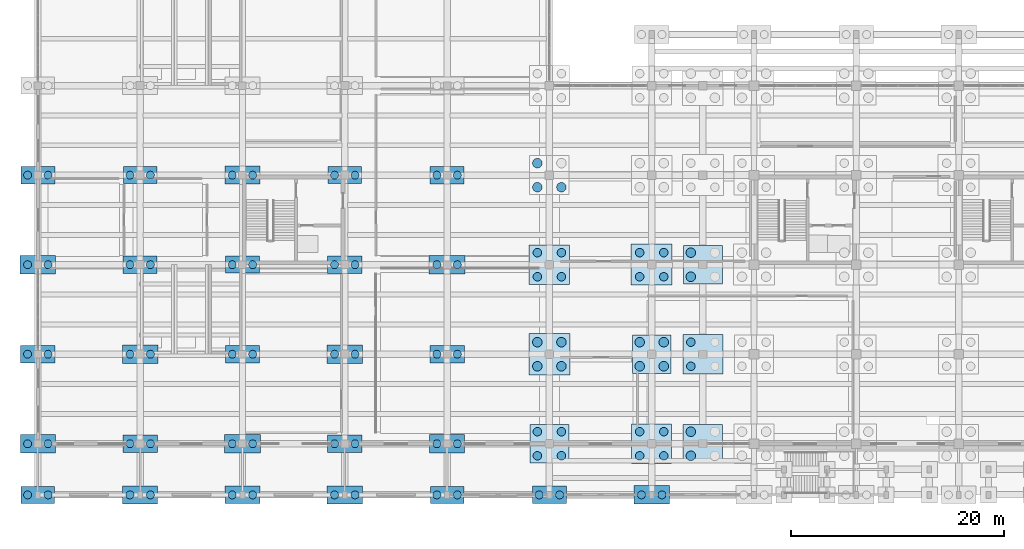
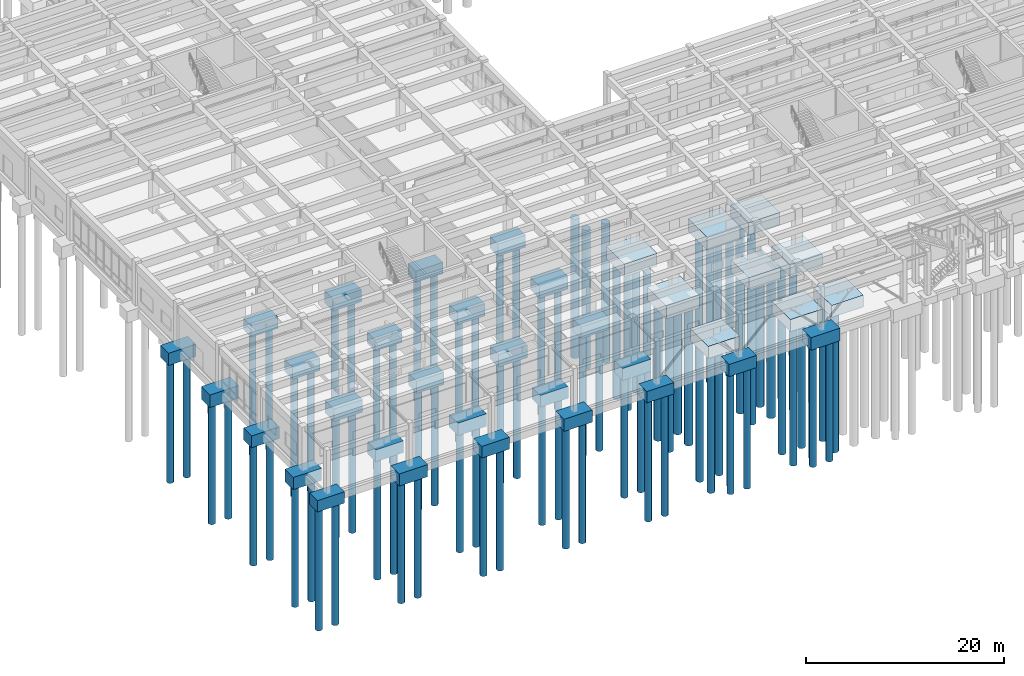
# One storey, part 1 of 102: 87 piles, 36 footings.
"""IFC4 building model written with IfcOpenShell, lengths in metres."""

from ifc_helpers import new_model, si_unit, direction, frame, origin, origin_2d, place, context, subcontext, project, spatial, rectangle, circle, extrude, material, material_profile, profile_set, type_object, element, save


model = new_model("IFC4")

# Units and contexts
model_context = context("Model", 3, precision=1e-05, world=origin(), true_north=direction((0.0, 1.0)))
body_context = subcontext(model_context, "Body", "Model", "MODEL_VIEW")
ifc_project = project(units=[si_unit("LENGTHUNIT", "METRE"), si_unit("AREAUNIT", "SQUARE_METRE"), si_unit("VOLUMEUNIT", "CUBIC_METRE"), si_unit("PLANEANGLEUNIT", "RADIAN"), si_unit("MASSUNIT", "GRAM", prefix="KILO")], contexts=[model_context])

# Site, building, storey
site_placement = place(None, origin())
site = spatial("IfcSite", under=ifc_project, at=site_placement, CompositionType="ELEMENT")
building_placement = place(site_placement, origin())
building = spatial("IfcBuilding", under=site, at=building_placement, Name="Kolvemor Railside Polytechnic", CompositionType="ELEMENT")
storey_placement = place(building_placement, origin())
storey = spatial("IfcBuildingStorey", under=building, at=storey_placement, Name="L00", CompositionType="ELEMENT", Elevation=0.0)

# Footings
ifc_material_1 = material(Name="Concrete C40/50", Category="concrete")
footing_type_1 = type_object("IfcFootingType", Name="FTG-PC-2P-A", PredefinedType="PILE_CAP", material=ifc_material_1)
for number, where, z_axis, x_axis, name in (
    (1, (0.0, 30.0, -1.5), (0.0, 0.0, 1.0), (1.0, 0.0, 0.0), "Pile Cap PC-005"),
    (2, (9.60009765625, 21.60009765625, -1.5), (0.0, 0.0, 1.0), (1.0, 0.0, 0.0), "Pile Cap PC-015"),
    (3, (19.199951171875, 13.199951171875, -1.5), (0.0, 0.0, 1.0), (1.0, 0.0, 0.0), "Pile Cap PC-025"),
    (4, (28.800048828125, 21.60009765625, -1.5), (0.0, 0.0, 1.0), (1.0, 0.0, 0.0), "Pile Cap PC-040"),
    (5, (38.39990234375, 30.0, -1.5), (0.0, 0.0, 1.0), (1.0, 0.0, 0.0), "Pile Cap PC-055"),
    (6, (48.0, 0.0, -1.5), (0.0, 0.0, 1.0), (1.0, 0.0, 0.0), "Pile Cap PC-065"),
):
    element("IfcFooting", number, at=place(storey_placement, frame(where, z_axis=z_axis, x_axis=x_axis)), inside=storey, type_object=footing_type_1, Name=name, PredefinedType="PILE_CAP", context=body_context, shape_type="SweptSolid", body=[
        extrude(rectangle(XDim=3.199951171875, YDim=1.64990234375, at=origin_2d()), origin(), (0.0, 0.0, 1.0), 1.5),
    ])
ifc_material_2 = material(Name="Concrete C40/50", Category="concrete")
footing_type_2 = type_object("IfcFootingType", Name="FTG-PC-2P-B", PredefinedType="PILE_CAP", material=ifc_material_2)
for number, where, z_axis, x_axis, name in (
    (7, (0.0, 0.0, -1.39990234375), (0.0, 0.0, 1.0), (1.0, 0.0, 0.0), "Pile Cap PC-001"),
    (8, (9.60009765625, 30.0, -1.39990234375), (0.0, 0.0, 1.0), (1.0, 0.0, 0.0), "Pile Cap PC-016"),
    (9, (19.199951171875, 21.60009765625, -1.39990234375), (0.0, 0.0, 1.0), (1.0, 0.0, 0.0), "Pile Cap PC-026"),
    (10, (28.800048828125, 30.0, -1.39990234375), (0.0, 0.0, 1.0), (1.0, 0.0, 0.0), "Pile Cap PC-041"),
    (11, (38.39990234375, 0.0, -1.39990234375), (0.0, 0.0, 1.0), (1.0, 0.0, 0.0), "Pile Cap PC-051"),
):
    element("IfcFooting", number, at=place(storey_placement, frame(where, z_axis=z_axis, x_axis=x_axis)), inside=storey, type_object=footing_type_2, Name=name, PredefinedType="PILE_CAP", context=body_context, shape_type="SweptSolid", body=[
        extrude(rectangle(XDim=3.14990234375, YDim=1.60009765625, at=origin_2d()), origin(), (0.0, 0.0, 1.0), 1.39990234375),
    ])
ifc_material_3 = material(Name="Concrete C40/50", Category="concrete")
footing_type_3 = type_object("IfcFootingType", Name="FTG-PC-2P-C", PredefinedType="PILE_CAP", material=ifc_material_3)
for number, where, z_axis, x_axis, name in (
    (12, (0.0, 4.800048828125, -1.5), (0.0, 0.0, 1.0), (1.0, 0.0, 0.0), "Pile Cap PC-002"),
    (13, (9.60009765625, 0.0, -1.5), (0.0, 0.0, 1.0), (1.0, 0.0, 0.0), "Pile Cap PC-012"),
    (14, (19.199951171875, 30.0, -1.5), (0.0, 0.0, 1.0), (1.0, 0.0, 0.0), "Pile Cap PC-027"),
    (15, (28.800048828125, 0.0, -1.5), (0.0, 0.0, 1.0), (1.0, 0.0, 0.0), "Pile Cap PC-037"),
    (16, (38.39990234375, 4.800048828125, -1.5), (0.0, 0.0, 1.0), (1.0, 0.0, 0.0), "Pile Cap PC-052"),
):
    element("IfcFooting", number, at=place(storey_placement, frame(where, z_axis=z_axis, x_axis=x_axis)), inside=storey, type_object=footing_type_3, Name=name, PredefinedType="PILE_CAP", context=body_context, shape_type="SweptSolid", body=[
        extrude(rectangle(XDim=3.300048828125, YDim=1.699951171875, at=origin_2d()), origin(), (0.0, 0.0, 1.0), 1.5),
    ])
ifc_material_4 = material(Name="Concrete C40/50", Category="concrete")
footing_type_4 = type_object("IfcFootingType", Name="FTG-PC-2P-D", PredefinedType="PILE_CAP", material=ifc_material_4)
for number, where, z_axis, x_axis, name in (
    (17, (0.0, 13.199951171875, -1.4501953125), (0.0, 0.0, 1.0), (1.0, 0.0, 0.0), "Pile Cap PC-003"),
    (18, (9.60009765625, 4.800048828125, -1.4501953125), (0.0, 0.0, 1.0), (1.0, 0.0, 0.0), "Pile Cap PC-013"),
    (19, (19.199951171875, 0.0, -1.4501953125), (0.0, 0.0, 1.0), (1.0, 0.0, 0.0), "Pile Cap PC-023"),
    (20, (28.800048828125, 4.800048828125, -1.4501953125), (0.0, 0.0, 1.0), (1.0, 0.0, 0.0), "Pile Cap PC-038"),
    (21, (38.39990234375, 13.199951171875, -1.4501953125), (0.0, 0.0, 1.0), (1.0, 0.0, 0.0), "Pile Cap PC-053"),
):
    element("IfcFooting", number, at=place(storey_placement, frame(where, z_axis=z_axis, x_axis=x_axis)), inside=storey, type_object=footing_type_4, Name=name, PredefinedType="PILE_CAP", context=body_context, shape_type="SweptSolid", body=[
        extrude(rectangle(XDim=3.25, YDim=1.64990234375, at=origin_2d()), origin(), (0.0, 0.0, 1.0), 1.449951171875),
    ])
ifc_material_5 = material(Name="Concrete C40/50", Category="concrete")
footing_type_5 = type_object("IfcFootingType", Name="FTG-PC-2P-E", PredefinedType="PILE_CAP", material=ifc_material_5)
for number, where, z_axis, x_axis, name in (
    (22, (0.0, 21.60009765625, -1.5498046875), (0.0, 0.0, 1.0), (1.0, 0.0, 0.0), "Pile Cap PC-004"),
    (23, (9.60009765625, 13.199951171875, -1.5498046875), (0.0, 0.0, 1.0), (1.0, 0.0, 0.0), "Pile Cap PC-014"),
    (24, (19.199951171875, 4.800048828125, -1.5498046875), (0.0, 0.0, 1.0), (1.0, 0.0, 0.0), "Pile Cap PC-024"),
    (25, (28.800048828125, 13.199951171875, -1.5498046875), (0.0, 0.0, 1.0), (1.0, 0.0, 0.0), "Pile Cap PC-039"),
    (26, (38.39990234375, 21.60009765625, -1.5498046875), (0.0, 0.0, 1.0), (1.0, 0.0, 0.0), "Pile Cap PC-054"),
    (27, (57.60009765625, 0.0, -1.5498046875), (0.0, 0.0, 1.0), (1.0, 0.0, 0.0), "Pile Cap PC-079"),
):
    element("IfcFooting", number, at=place(storey_placement, frame(where, z_axis=z_axis, x_axis=x_axis)), inside=storey, type_object=footing_type_5, Name=name, PredefinedType="PILE_CAP", context=body_context, shape_type="SweptSolid", body=[
        extrude(rectangle(XDim=3.35009765625, YDim=1.75, at=origin_2d()), origin(), (0.0, 0.0, 1.0), 1.550048828125),
    ])
ifc_material_6 = material(Name="Concrete C40/50", Category="concrete")
footing_type_6 = type_object("IfcFootingType", Name="FTG-PC-4P-A", PredefinedType="PILE_CAP", material=ifc_material_6)
for number, where, z_axis, x_axis, name in (
    (28, (57.60009765625, 4.800048828125, -1.5), (0.0, 0.0, 1.0), (1.0, 0.0, 0.0), "Pile Cap PC-080"),
    (29, (62.39990234375, 13.199951171875, -1.5), (0.0, 0.0, 1.0), (1.0, 0.0, 0.0), "Pile Cap PC-090"),
):
    element("IfcFooting", number, at=place(storey_placement, frame(where, z_axis=z_axis, x_axis=x_axis)), inside=storey, type_object=footing_type_6, Name=name, PredefinedType="PILE_CAP", context=body_context, shape_type="SweptSolid", body=[
        extrude(rectangle(XDim=3.75, YDim=3.75, at=origin_2d()), origin(), (0.0, 0.0, 1.0), 1.5),
    ])
ifc_material_7 = material(Name="Concrete C40/50", Category="concrete")
footing_type_7 = type_object("IfcFootingType", Name="FTG-PC-4P-B", PredefinedType="PILE_CAP", material=ifc_material_7)
for number, where, z_axis, x_axis, name in (
    (30, (48.0, 4.800048828125, -1.5), (0.0, 0.0, 1.0), (1.0, 0.0, 0.0), "Pile Cap PC-066"),
    (31, (57.60009765625, 13.199951171875, -1.5), (0.0, 0.0, 1.0), (1.0, 0.0, 0.0), "Pile Cap PC-081"),
    (32, (62.39990234375, 21.60009765625, -1.5), (0.0, 0.0, 1.0), (1.0, 0.0, 0.0), "Pile Cap PC-091"),
):
    element("IfcFooting", number, at=place(storey_placement, frame(where, z_axis=z_axis, x_axis=x_axis)), inside=storey, type_object=footing_type_7, Name=name, PredefinedType="PILE_CAP", context=body_context, shape_type="SweptSolid", body=[
        extrude(rectangle(XDim=3.64990234375, YDim=3.64990234375, at=origin_2d()), origin(), (0.0, 0.0, 1.0), 1.5),
    ])
ifc_material_8 = material(Name="Concrete C40/50", Category="concrete")
footing_type_8 = type_object("IfcFootingType", Name="FTG-PC-4P-C", PredefinedType="PILE_CAP", material=ifc_material_8)
for number, where, z_axis, x_axis, name in (
    (33, (48.0, 13.199951171875, -1.60009765625), (0.0, 0.0, 1.0), (1.0, 0.0, 0.0), "Pile Cap PC-067"),
    (34, (57.60009765625, 21.60009765625, -1.60009765625), (0.0, 0.0, 1.0), (1.0, 0.0, 0.0), "Pile Cap PC-082"),
):
    element("IfcFooting", number, at=place(storey_placement, frame(where, z_axis=z_axis, x_axis=x_axis)), inside=storey, type_object=footing_type_8, Name=name, PredefinedType="PILE_CAP", context=body_context, shape_type="SweptSolid", body=[
        extrude(rectangle(XDim=3.85009765625, YDim=3.85009765625, at=origin_2d()), origin(), (0.0, 0.0, 1.0), 1.60009765625),
    ])
ifc_material_9 = material(Name="Concrete C40/50", Category="concrete")
footing_type_9 = type_object("IfcFootingType", Name="FTG-PC-4P-D", PredefinedType="PILE_CAP", material=ifc_material_9)
footing_1_placement = place(storey_placement, frame((48.0, 21.60009765625, -1.5498046875), z_axis=(0.0, 0.0, 1.0), x_axis=(1.0, 0.0, 0.0)))
element("IfcFooting", 35, at=footing_1_placement, inside=storey, type_object=footing_type_9, Name="Pile Cap PC-068", PredefinedType="PILE_CAP", context=body_context, shape_type="SweptSolid", body=[
    extrude(rectangle(XDim=3.800048828125, YDim=3.699951171875, at=origin_2d()), origin(), (0.0, 0.0, 1.0), 1.550048828125),
])
ifc_material_10 = material(Name="Concrete C40/50", Category="concrete")
footing_type_10 = type_object("IfcFootingType", Name="FTG-PC-4P-E", PredefinedType="PILE_CAP", material=ifc_material_10)
footing_2_placement = place(storey_placement, frame((62.39990234375, 4.800048828125, -1.4501953125), z_axis=(0.0, 0.0, 1.0), x_axis=(1.0, 0.0, 0.0)))
element("IfcFooting", 36, at=footing_2_placement, inside=storey, type_object=footing_type_10, Name="Pile Cap PC-089", PredefinedType="PILE_CAP", context=body_context, shape_type="SweptSolid", body=[
    extrude(rectangle(XDim=3.699951171875, YDim=3.64990234375, at=origin_2d()), origin(), (0.0, 0.0, 1.0), 1.449951171875),
])

# Piles
ifc_material_11 = material(Name="Concrete C40/50", Category="concrete")
ifc_material_profile_1 = material_profile(ifc_material_11, circle(Radius=0.375, at=origin_2d()), Name="BP750")
ifc_profile_set_1 = profile_set([ifc_material_profile_1], Name="Concrete C40/50")
pile_type_1 = type_object("IfcPileType", Name="PIL-BP750", PredefinedType="BORED", material=ifc_profile_set_1)
for number, where, z_axis, x_axis, name in (
    (37, (-0.9599609375, 0.0, -1.280029296875), (0.0, 0.0, -1.0), (1.0, 0.0, 0.0), "Bored Pile BP750-001-1"),
    (38, (0.9599609375, 0.0, -1.280029296875), (0.0, 0.0, -1.0), (1.0, 0.0, 0.0), "Bored Pile BP750-001-2"),
):
    element("IfcPile", number, at=place(storey_placement, frame(where, z_axis=z_axis, x_axis=x_axis)), inside=storey, type_object=pile_type_1, Name=name, PredefinedType="BORED", context=body_context, shape_type="SweptSolid", body=[
        extrude(circle(Radius=0.375, at=origin_2d()), origin(), (0.0, 0.0, 1.0), 15.219970703125),
    ])
for number, where, z_axis, x_axis, name in (
    (39, (-0.9599609375, 4.800048828125, -1.3798828125), (0.0, 0.0, -1.0), (1.0, 0.0, 0.0), "Bored Pile BP750-002-1"),
    (40, (0.9599609375, 4.800048828125, -1.3798828125), (0.0, 0.0, -1.0), (1.0, 0.0, 0.0), "Bored Pile BP750-002-2"),
):
    element("IfcPile", number, at=place(storey_placement, frame(where, z_axis=z_axis, x_axis=x_axis)), inside=storey, type_object=pile_type_1, Name=name, PredefinedType="BORED", context=body_context, shape_type="SweptSolid", body=[
        extrude(circle(Radius=0.375, at=origin_2d()), origin(), (0.0, 0.0, 1.0), 15.1201171875),
    ])
for number, where, z_axis, x_axis, name in (
    (41, (-0.9599609375, 13.199951171875, -1.330078125), (0.0, 0.0, -1.0), (1.0, 0.0, 0.0), "Bored Pile BP750-003-1"),
    (42, (0.9599609375, 13.199951171875, -1.330078125), (0.0, 0.0, -1.0), (1.0, 0.0, 0.0), "Bored Pile BP750-003-2"),
):
    element("IfcPile", number, at=place(storey_placement, frame(where, z_axis=z_axis, x_axis=x_axis)), inside=storey, type_object=pile_type_1, Name=name, PredefinedType="BORED", context=body_context, shape_type="SweptSolid", body=[
        extrude(circle(Radius=0.375, at=origin_2d()), origin(), (0.0, 0.0, 1.0), 15.169921875),
    ])
for number, where, z_axis, x_axis, name in (
    (43, (-0.9599609375, 21.60009765625, -1.429931640625), (0.0, 0.0, -1.0), (1.0, 0.0, 0.0), "Bored Pile BP750-004-1"),
    (44, (0.9599609375, 21.60009765625, -1.429931640625), (0.0, 0.0, -1.0), (1.0, 0.0, 0.0), "Bored Pile BP750-004-2"),
):
    element("IfcPile", number, at=place(storey_placement, frame(where, z_axis=z_axis, x_axis=x_axis)), inside=storey, type_object=pile_type_1, Name=name, PredefinedType="BORED", context=body_context, shape_type="SweptSolid", body=[
        extrude(circle(Radius=0.375, at=origin_2d()), origin(), (0.0, 0.0, 1.0), 15.070068359375),
    ])
for number, where, z_axis, x_axis, name in (
    (45, (-0.9599609375, 30.0, -1.3798828125), (0.0, 0.0, -1.0), (1.0, 0.0, 0.0), "Bored Pile BP750-005-1"),
    (46, (0.9599609375, 30.0, -1.3798828125), (0.0, 0.0, -1.0), (1.0, 0.0, 0.0), "Bored Pile BP750-005-2"),
    (47, (8.639892578125, 0.0, -1.3798828125), (0.0, 0.0, -1.0), (1.0, 0.0, 0.0), "Bored Pile BP750-012-1"),
    (48, (10.56005859375, 0.0, -1.3798828125), (0.0, 0.0, -1.0), (1.0, 0.0, 0.0), "Bored Pile BP750-012-2"),
):
    element("IfcPile", number, at=place(storey_placement, frame(where, z_axis=z_axis, x_axis=x_axis)), inside=storey, type_object=pile_type_1, Name=name, PredefinedType="BORED", context=body_context, shape_type="SweptSolid", body=[
        extrude(circle(Radius=0.375, at=origin_2d()), origin(), (0.0, 0.0, 1.0), 15.1201171875),
    ])
for number, where, z_axis, x_axis, name in (
    (49, (8.639892578125, 4.800048828125, -1.330078125), (0.0, 0.0, -1.0), (1.0, 0.0, 0.0), "Bored Pile BP750-013-1"),
    (50, (10.56005859375, 4.800048828125, -1.330078125), (0.0, 0.0, -1.0), (1.0, 0.0, 0.0), "Bored Pile BP750-013-2"),
):
    element("IfcPile", number, at=place(storey_placement, frame(where, z_axis=z_axis, x_axis=x_axis)), inside=storey, type_object=pile_type_1, Name=name, PredefinedType="BORED", context=body_context, shape_type="SweptSolid", body=[
        extrude(circle(Radius=0.375, at=origin_2d()), origin(), (0.0, 0.0, 1.0), 15.169921875),
    ])
for number, where, z_axis, x_axis, name in (
    (51, (8.639892578125, 13.199951171875, -1.429931640625), (0.0, 0.0, -1.0), (1.0, 0.0, 0.0), "Bored Pile BP750-014-1"),
    (52, (10.56005859375, 13.199951171875, -1.429931640625), (0.0, 0.0, -1.0), (1.0, 0.0, 0.0), "Bored Pile BP750-014-2"),
):
    element("IfcPile", number, at=place(storey_placement, frame(where, z_axis=z_axis, x_axis=x_axis)), inside=storey, type_object=pile_type_1, Name=name, PredefinedType="BORED", context=body_context, shape_type="SweptSolid", body=[
        extrude(circle(Radius=0.375, at=origin_2d()), origin(), (0.0, 0.0, 1.0), 15.070068359375),
    ])
for number, where, z_axis, x_axis, name in (
    (53, (8.639892578125, 21.60009765625, -1.3798828125), (0.0, 0.0, -1.0), (1.0, 0.0, 0.0), "Bored Pile BP750-015-1"),
    (54, (10.56005859375, 21.60009765625, -1.3798828125), (0.0, 0.0, -1.0), (1.0, 0.0, 0.0), "Bored Pile BP750-015-2"),
):
    element("IfcPile", number, at=place(storey_placement, frame(where, z_axis=z_axis, x_axis=x_axis)), inside=storey, type_object=pile_type_1, Name=name, PredefinedType="BORED", context=body_context, shape_type="SweptSolid", body=[
        extrude(circle(Radius=0.375, at=origin_2d()), origin(), (0.0, 0.0, 1.0), 15.1201171875),
    ])
for number, where, z_axis, x_axis, name in (
    (55, (8.639892578125, 30.0, -1.280029296875), (0.0, 0.0, -1.0), (1.0, 0.0, 0.0), "Bored Pile BP750-016-1"),
    (56, (10.56005859375, 30.0, -1.280029296875), (0.0, 0.0, -1.0), (1.0, 0.0, 0.0), "Bored Pile BP750-016-2"),
):
    element("IfcPile", number, at=place(storey_placement, frame(where, z_axis=z_axis, x_axis=x_axis)), inside=storey, type_object=pile_type_1, Name=name, PredefinedType="BORED", context=body_context, shape_type="SweptSolid", body=[
        extrude(circle(Radius=0.375, at=origin_2d()), origin(), (0.0, 0.0, 1.0), 15.219970703125),
    ])
for number, where, z_axis, x_axis, name in (
    (57, (18.239990234375, 0.0, -1.330078125), (0.0, 0.0, -1.0), (1.0, 0.0, 0.0), "Bored Pile BP750-023-1"),
    (58, (20.159912109375, 0.0, -1.330078125), (0.0, 0.0, -1.0), (1.0, 0.0, 0.0), "Bored Pile BP750-023-2"),
):
    element("IfcPile", number, at=place(storey_placement, frame(where, z_axis=z_axis, x_axis=x_axis)), inside=storey, type_object=pile_type_1, Name=name, PredefinedType="BORED", context=body_context, shape_type="SweptSolid", body=[
        extrude(circle(Radius=0.375, at=origin_2d()), origin(), (0.0, 0.0, 1.0), 15.169921875),
    ])
for number, where, z_axis, x_axis, name in (
    (59, (18.239990234375, 4.800048828125, -1.429931640625), (0.0, 0.0, -1.0), (1.0, 0.0, 0.0), "Bored Pile BP750-024-1"),
    (60, (20.159912109375, 4.800048828125, -1.429931640625), (0.0, 0.0, -1.0), (1.0, 0.0, 0.0), "Bored Pile BP750-024-2"),
):
    element("IfcPile", number, at=place(storey_placement, frame(where, z_axis=z_axis, x_axis=x_axis)), inside=storey, type_object=pile_type_1, Name=name, PredefinedType="BORED", context=body_context, shape_type="SweptSolid", body=[
        extrude(circle(Radius=0.375, at=origin_2d()), origin(), (0.0, 0.0, 1.0), 15.070068359375),
    ])
for number, where, z_axis, x_axis, name in (
    (61, (18.239990234375, 13.199951171875, -1.3798828125), (0.0, 0.0, -1.0), (1.0, 0.0, 0.0), "Bored Pile BP750-025-1"),
    (62, (20.159912109375, 13.199951171875, -1.3798828125), (0.0, 0.0, -1.0), (1.0, 0.0, 0.0), "Bored Pile BP750-025-2"),
):
    element("IfcPile", number, at=place(storey_placement, frame(where, z_axis=z_axis, x_axis=x_axis)), inside=storey, type_object=pile_type_1, Name=name, PredefinedType="BORED", context=body_context, shape_type="SweptSolid", body=[
        extrude(circle(Radius=0.375, at=origin_2d()), origin(), (0.0, 0.0, 1.0), 15.1201171875),
    ])
for number, where, z_axis, x_axis, name in (
    (63, (18.239990234375, 21.60009765625, -1.280029296875), (0.0, 0.0, -1.0), (1.0, 0.0, 0.0), "Bored Pile BP750-026-1"),
    (64, (20.159912109375, 21.60009765625, -1.280029296875), (0.0, 0.0, -1.0), (1.0, 0.0, 0.0), "Bored Pile BP750-026-2"),
):
    element("IfcPile", number, at=place(storey_placement, frame(where, z_axis=z_axis, x_axis=x_axis)), inside=storey, type_object=pile_type_1, Name=name, PredefinedType="BORED", context=body_context, shape_type="SweptSolid", body=[
        extrude(circle(Radius=0.375, at=origin_2d()), origin(), (0.0, 0.0, 1.0), 15.219970703125),
    ])
for number, where, z_axis, x_axis, name in (
    (65, (18.239990234375, 30.0, -1.3798828125), (0.0, 0.0, -1.0), (1.0, 0.0, 0.0), "Bored Pile BP750-027-1"),
    (66, (20.159912109375, 30.0, -1.3798828125), (0.0, 0.0, -1.0), (1.0, 0.0, 0.0), "Bored Pile BP750-027-2"),
    (67, (27.840087890625, 0.0, -1.3798828125), (0.0, 0.0, -1.0), (1.0, 0.0, 0.0), "Bored Pile BP750-037-1"),
    (68, (29.760009765625, 0.0, -1.3798828125), (0.0, 0.0, -1.0), (1.0, 0.0, 0.0), "Bored Pile BP750-037-2"),
):
    element("IfcPile", number, at=place(storey_placement, frame(where, z_axis=z_axis, x_axis=x_axis)), inside=storey, type_object=pile_type_1, Name=name, PredefinedType="BORED", context=body_context, shape_type="SweptSolid", body=[
        extrude(circle(Radius=0.375, at=origin_2d()), origin(), (0.0, 0.0, 1.0), 15.1201171875),
    ])
for number, where, z_axis, x_axis, name in (
    (69, (27.840087890625, 4.800048828125, -1.330078125), (0.0, 0.0, -1.0), (1.0, 0.0, 0.0), "Bored Pile BP750-038-1"),
    (70, (29.760009765625, 4.800048828125, -1.330078125), (0.0, 0.0, -1.0), (1.0, 0.0, 0.0), "Bored Pile BP750-038-2"),
):
    element("IfcPile", number, at=place(storey_placement, frame(where, z_axis=z_axis, x_axis=x_axis)), inside=storey, type_object=pile_type_1, Name=name, PredefinedType="BORED", context=body_context, shape_type="SweptSolid", body=[
        extrude(circle(Radius=0.375, at=origin_2d()), origin(), (0.0, 0.0, 1.0), 15.169921875),
    ])
for number, where, z_axis, x_axis, name in (
    (71, (27.840087890625, 13.199951171875, -1.429931640625), (0.0, 0.0, -1.0), (1.0, 0.0, 0.0), "Bored Pile BP750-039-1"),
    (72, (29.760009765625, 13.199951171875, -1.429931640625), (0.0, 0.0, -1.0), (1.0, 0.0, 0.0), "Bored Pile BP750-039-2"),
):
    element("IfcPile", number, at=place(storey_placement, frame(where, z_axis=z_axis, x_axis=x_axis)), inside=storey, type_object=pile_type_1, Name=name, PredefinedType="BORED", context=body_context, shape_type="SweptSolid", body=[
        extrude(circle(Radius=0.375, at=origin_2d()), origin(), (0.0, 0.0, 1.0), 15.070068359375),
    ])
for number, where, z_axis, x_axis, name in (
    (73, (27.840087890625, 21.60009765625, -1.3798828125), (0.0, 0.0, -1.0), (1.0, 0.0, 0.0), "Bored Pile BP750-040-1"),
    (74, (29.760009765625, 21.60009765625, -1.3798828125), (0.0, 0.0, -1.0), (1.0, 0.0, 0.0), "Bored Pile BP750-040-2"),
):
    element("IfcPile", number, at=place(storey_placement, frame(where, z_axis=z_axis, x_axis=x_axis)), inside=storey, type_object=pile_type_1, Name=name, PredefinedType="BORED", context=body_context, shape_type="SweptSolid", body=[
        extrude(circle(Radius=0.375, at=origin_2d()), origin(), (0.0, 0.0, 1.0), 15.1201171875),
    ])
for number, where, z_axis, x_axis, name in (
    (75, (27.840087890625, 30.0, -1.280029296875), (0.0, 0.0, -1.0), (1.0, 0.0, 0.0), "Bored Pile BP750-041-1"),
    (76, (29.760009765625, 30.0, -1.280029296875), (0.0, 0.0, -1.0), (1.0, 0.0, 0.0), "Bored Pile BP750-041-2"),
    (77, (37.43994140625, 0.0, -1.280029296875), (0.0, 0.0, -1.0), (1.0, 0.0, 0.0), "Bored Pile BP750-051-1"),
    (78, (39.360107421875, 0.0, -1.280029296875), (0.0, 0.0, -1.0), (1.0, 0.0, 0.0), "Bored Pile BP750-051-2"),
):
    element("IfcPile", number, at=place(storey_placement, frame(where, z_axis=z_axis, x_axis=x_axis)), inside=storey, type_object=pile_type_1, Name=name, PredefinedType="BORED", context=body_context, shape_type="SweptSolid", body=[
        extrude(circle(Radius=0.375, at=origin_2d()), origin(), (0.0, 0.0, 1.0), 15.219970703125),
    ])
for number, where, z_axis, x_axis, name in (
    (79, (37.43994140625, 4.800048828125, -1.3798828125), (0.0, 0.0, -1.0), (1.0, 0.0, 0.0), "Bored Pile BP750-052-1"),
    (80, (39.360107421875, 4.800048828125, -1.3798828125), (0.0, 0.0, -1.0), (1.0, 0.0, 0.0), "Bored Pile BP750-052-2"),
):
    element("IfcPile", number, at=place(storey_placement, frame(where, z_axis=z_axis, x_axis=x_axis)), inside=storey, type_object=pile_type_1, Name=name, PredefinedType="BORED", context=body_context, shape_type="SweptSolid", body=[
        extrude(circle(Radius=0.375, at=origin_2d()), origin(), (0.0, 0.0, 1.0), 15.1201171875),
    ])
for number, where, z_axis, x_axis, name in (
    (81, (37.43994140625, 13.199951171875, -1.330078125), (0.0, 0.0, -1.0), (1.0, 0.0, 0.0), "Bored Pile BP750-053-1"),
    (82, (39.360107421875, 13.199951171875, -1.330078125), (0.0, 0.0, -1.0), (1.0, 0.0, 0.0), "Bored Pile BP750-053-2"),
):
    element("IfcPile", number, at=place(storey_placement, frame(where, z_axis=z_axis, x_axis=x_axis)), inside=storey, type_object=pile_type_1, Name=name, PredefinedType="BORED", context=body_context, shape_type="SweptSolid", body=[
        extrude(circle(Radius=0.375, at=origin_2d()), origin(), (0.0, 0.0, 1.0), 15.169921875),
    ])
for number, where, z_axis, x_axis, name in (
    (83, (37.43994140625, 21.60009765625, -1.429931640625), (0.0, 0.0, -1.0), (1.0, 0.0, 0.0), "Bored Pile BP750-054-1"),
    (84, (39.360107421875, 21.60009765625, -1.429931640625), (0.0, 0.0, -1.0), (1.0, 0.0, 0.0), "Bored Pile BP750-054-2"),
):
    element("IfcPile", number, at=place(storey_placement, frame(where, z_axis=z_axis, x_axis=x_axis)), inside=storey, type_object=pile_type_1, Name=name, PredefinedType="BORED", context=body_context, shape_type="SweptSolid", body=[
        extrude(circle(Radius=0.375, at=origin_2d()), origin(), (0.0, 0.0, 1.0), 15.070068359375),
    ])
for number, where, z_axis, x_axis, name in (
    (85, (37.43994140625, 30.0, -1.3798828125), (0.0, 0.0, -1.0), (1.0, 0.0, 0.0), "Bored Pile BP750-055-1"),
    (86, (39.360107421875, 30.0, -1.3798828125), (0.0, 0.0, -1.0), (1.0, 0.0, 0.0), "Bored Pile BP750-055-2"),
    (87, (47.0400390625, 0.0, -1.3798828125), (0.0, 0.0, -1.0), (1.0, 0.0, 0.0), "Bored Pile BP750-065-1"),
    (88, (48.9599609375, 0.0, -1.3798828125), (0.0, 0.0, -1.0), (1.0, 0.0, 0.0), "Bored Pile BP750-065-2"),
):
    element("IfcPile", number, at=place(storey_placement, frame(where, z_axis=z_axis, x_axis=x_axis)), inside=storey, type_object=pile_type_1, Name=name, PredefinedType="BORED", context=body_context, shape_type="SweptSolid", body=[
        extrude(circle(Radius=0.375, at=origin_2d()), origin(), (0.0, 0.0, 1.0), 15.1201171875),
    ])
for number, where, z_axis, x_axis, name in (
    (89, (56.639892578125, 0.0, -1.429931640625), (0.0, 0.0, -1.0), (1.0, 0.0, 0.0), "Bored Pile BP750-079-1"),
    (90, (58.56005859375, 0.0, -1.429931640625), (0.0, 0.0, -1.0), (1.0, 0.0, 0.0), "Bored Pile BP750-079-2"),
):
    element("IfcPile", number, at=place(storey_placement, frame(where, z_axis=z_axis, x_axis=x_axis)), inside=storey, type_object=pile_type_1, Name=name, PredefinedType="BORED", context=body_context, shape_type="SweptSolid", body=[
        extrude(circle(Radius=0.375, at=origin_2d()), origin(), (0.0, 0.0, 1.0), 15.070068359375),
    ])
ifc_material_12 = material(Name="Concrete C40/50", Category="concrete")
ifc_material_profile_2 = material_profile(ifc_material_12, circle(Radius=0.39990234375, at=origin_2d()), Name="BP800")
ifc_profile_set_2 = profile_set([ifc_material_profile_2], Name="Concrete C40/50")
pile_type_2 = type_object("IfcPileType", Name="PIL-BP800", PredefinedType="BORED", material=ifc_profile_set_2)
for number, where, z_axis, x_axis, name in (
    (91, (46.8701171875, 3.669921875, -1.3798828125), (0.0, 0.0, -1.0), (1.0, 0.0, 0.0), "Bored Pile PIL-BP800-066-1"),
    (92, (46.8701171875, 5.929931640625, -1.3798828125), (0.0, 0.0, -1.0), (1.0, 0.0, 0.0), "Bored Pile PIL-BP800-066-2"),
    (93, (49.1298828125, 3.669921875, -1.3798828125), (0.0, 0.0, -1.0), (1.0, 0.0, 0.0), "Bored Pile PIL-BP800-066-3"),
    (94, (49.1298828125, 5.929931640625, -1.3798828125), (0.0, 0.0, -1.0), (1.0, 0.0, 0.0), "Bored Pile PIL-BP800-066-4"),
):
    element("IfcPile", number, at=place(storey_placement, frame(where, z_axis=z_axis, x_axis=x_axis)), inside=storey, type_object=pile_type_2, Name=name, PredefinedType="BORED", context=body_context, shape_type="SweptSolid", body=[
        extrude(circle(Radius=0.39990234375, at=origin_2d()), origin(), (0.0, 0.0, 1.0), 17.1201171875),
    ])
for number, where, z_axis, x_axis, name in (
    (95, (46.8701171875, 20.469970703125, -1.429931640625), (0.0, 0.0, -1.0), (1.0, 0.0, 0.0), "Bored Pile PIL-BP800-068-1"),
    (96, (46.8701171875, 22.72998046875, -1.429931640625), (0.0, 0.0, -1.0), (1.0, 0.0, 0.0), "Bored Pile PIL-BP800-068-2"),
    (97, (49.1298828125, 20.469970703125, -1.429931640625), (0.0, 0.0, -1.0), (1.0, 0.0, 0.0), "Bored Pile PIL-BP800-068-3"),
    (98, (49.1298828125, 22.72998046875, -1.429931640625), (0.0, 0.0, -1.0), (1.0, 0.0, 0.0), "Bored Pile PIL-BP800-068-4"),
):
    element("IfcPile", number, at=place(storey_placement, frame(where, z_axis=z_axis, x_axis=x_axis)), inside=storey, type_object=pile_type_2, Name=name, PredefinedType="BORED", context=body_context, shape_type="SweptSolid", body=[
        extrude(circle(Radius=0.39990234375, at=origin_2d()), origin(), (0.0, 0.0, 1.0), 17.070068359375),
    ])
for number, where, z_axis, x_axis, name in (
    (99, (56.469970703125, 3.669921875, -1.3798828125), (0.0, 0.0, -1.0), (1.0, 0.0, 0.0), "Bored Pile PIL-BP800-080-1"),
    (100, (56.469970703125, 5.929931640625, -1.3798828125), (0.0, 0.0, -1.0), (1.0, 0.0, 0.0), "Bored Pile PIL-BP800-080-2"),
    (101, (58.72998046875, 3.669921875, -1.3798828125), (0.0, 0.0, -1.0), (1.0, 0.0, 0.0), "Bored Pile PIL-BP800-080-3"),
    (102, (58.72998046875, 5.929931640625, -1.3798828125), (0.0, 0.0, -1.0), (1.0, 0.0, 0.0), "Bored Pile PIL-BP800-080-4"),
):
    element("IfcPile", number, at=place(storey_placement, frame(where, z_axis=z_axis, x_axis=x_axis)), inside=storey, type_object=pile_type_2, Name=name, PredefinedType="BORED", context=body_context, shape_type="SweptSolid", body=[
        extrude(circle(Radius=0.39990234375, at=origin_2d()), origin(), (0.0, 0.0, 1.0), 17.1201171875),
    ])
for number, where, z_axis, x_axis, name in (
    (103, (56.469970703125, 20.469970703125, -1.47998046875), (0.0, 0.0, -1.0), (1.0, 0.0, 0.0), "Bored Pile PIL-BP800-082-1"),
    (104, (56.469970703125, 22.72998046875, -1.47998046875), (0.0, 0.0, -1.0), (1.0, 0.0, 0.0), "Bored Pile PIL-BP800-082-2"),
    (105, (58.72998046875, 20.469970703125, -1.47998046875), (0.0, 0.0, -1.0), (1.0, 0.0, 0.0), "Bored Pile PIL-BP800-082-3"),
    (106, (58.72998046875, 22.72998046875, -1.47998046875), (0.0, 0.0, -1.0), (1.0, 0.0, 0.0), "Bored Pile PIL-BP800-082-4"),
):
    element("IfcPile", number, at=place(storey_placement, frame(where, z_axis=z_axis, x_axis=x_axis)), inside=storey, type_object=pile_type_2, Name=name, PredefinedType="BORED", context=body_context, shape_type="SweptSolid", body=[
        extrude(circle(Radius=0.39990234375, at=origin_2d()), origin(), (0.0, 0.0, 1.0), 17.02001953125),
    ])
for number, where, z_axis, x_axis, name in (
    (107, (61.27001953125, 12.070068359375, -1.3798828125), (0.0, 0.0, -1.0), (1.0, 0.0, 0.0), "Bored Pile PIL-BP800-090-1"),
    (108, (61.27001953125, 14.330078125, -1.3798828125), (0.0, 0.0, -1.0), (1.0, 0.0, 0.0), "Bored Pile PIL-BP800-090-2"),
):
    element("IfcPile", number, at=place(storey_placement, frame(where, z_axis=z_axis, x_axis=x_axis)), inside=storey, type_object=pile_type_2, Name=name, PredefinedType="BORED", context=body_context, shape_type="SweptSolid", body=[
        extrude(circle(Radius=0.39990234375, at=origin_2d()), origin(), (0.0, 0.0, 1.0), 17.1201171875),
    ])
ifc_material_13 = material(Name="Concrete C40/50", Category="concrete")
ifc_material_profile_3 = material_profile(ifc_material_13, circle(Radius=0.449951171875, at=origin_2d()), Name="BP900")
ifc_profile_set_3 = profile_set([ifc_material_profile_3], Name="Concrete C40/50")
pile_type_3 = type_object("IfcPileType", Name="PIL-BP900", PredefinedType="BORED", material=ifc_profile_set_3)
for number, where, z_axis, x_axis, name in (
    (109, (46.8701171875, 12.070068359375, -1.47998046875), (0.0, 0.0, -1.0), (1.0, 0.0, 0.0), "Bored Pile PIL-BP900-067-1"),
    (110, (46.8701171875, 14.330078125, -1.47998046875), (0.0, 0.0, -1.0), (1.0, 0.0, 0.0), "Bored Pile PIL-BP900-067-2"),
    (111, (49.1298828125, 12.070068359375, -1.47998046875), (0.0, 0.0, -1.0), (1.0, 0.0, 0.0), "Bored Pile PIL-BP900-067-3"),
    (112, (49.1298828125, 14.330078125, -1.47998046875), (0.0, 0.0, -1.0), (1.0, 0.0, 0.0), "Bored Pile PIL-BP900-067-4"),
):
    element("IfcPile", number, at=place(storey_placement, frame(where, z_axis=z_axis, x_axis=x_axis)), inside=storey, type_object=pile_type_3, Name=name, PredefinedType="BORED", context=body_context, shape_type="SweptSolid", body=[
        extrude(circle(Radius=0.449951171875, at=origin_2d()), origin(), (0.0, 0.0, 1.0), 17.02001953125),
    ])
for number, where, z_axis, x_axis, name in (
    (113, (46.8701171875, 28.8701171875, -1.330078125), (0.0, 0.0, -1.0), (1.0, 0.0, 0.0), "Bored Pile PIL-BP900-069-1"),
    (114, (46.8701171875, 31.1298828125, -1.330078125), (0.0, 0.0, -1.0), (1.0, 0.0, 0.0), "Bored Pile PIL-BP900-069-2"),
    (115, (49.1298828125, 28.8701171875, -1.330078125), (0.0, 0.0, -1.0), (1.0, 0.0, 0.0), "Bored Pile PIL-BP900-069-3"),
):
    element("IfcPile", number, at=place(storey_placement, frame(where, z_axis=z_axis, x_axis=x_axis)), inside=storey, type_object=pile_type_3, Name=name, PredefinedType="BORED", context=body_context, shape_type="SweptSolid", body=[
        extrude(circle(Radius=0.449951171875, at=origin_2d()), origin(), (0.0, 0.0, 1.0), 17.169921875),
    ])
for number, where, z_axis, x_axis, name in (
    (116, (56.469970703125, 12.070068359375, -1.3798828125), (0.0, 0.0, -1.0), (1.0, 0.0, 0.0), "Bored Pile PIL-BP900-081-1"),
    (117, (56.469970703125, 14.330078125, -1.3798828125), (0.0, 0.0, -1.0), (1.0, 0.0, 0.0), "Bored Pile PIL-BP900-081-2"),
    (118, (58.72998046875, 12.070068359375, -1.3798828125), (0.0, 0.0, -1.0), (1.0, 0.0, 0.0), "Bored Pile PIL-BP900-081-3"),
    (119, (58.72998046875, 14.330078125, -1.3798828125), (0.0, 0.0, -1.0), (1.0, 0.0, 0.0), "Bored Pile PIL-BP900-081-4"),
):
    element("IfcPile", number, at=place(storey_placement, frame(where, z_axis=z_axis, x_axis=x_axis)), inside=storey, type_object=pile_type_3, Name=name, PredefinedType="BORED", context=body_context, shape_type="SweptSolid", body=[
        extrude(circle(Radius=0.449951171875, at=origin_2d()), origin(), (0.0, 0.0, 1.0), 17.1201171875),
    ])
for number, where, z_axis, x_axis, name in (
    (120, (61.27001953125, 3.669921875, -1.330078125), (0.0, 0.0, -1.0), (1.0, 0.0, 0.0), "Bored Pile PIL-BP900-089-1"),
    (121, (61.27001953125, 5.929931640625, -1.330078125), (0.0, 0.0, -1.0), (1.0, 0.0, 0.0), "Bored Pile PIL-BP900-089-2"),
):
    element("IfcPile", number, at=place(storey_placement, frame(where, z_axis=z_axis, x_axis=x_axis)), inside=storey, type_object=pile_type_3, Name=name, PredefinedType="BORED", context=body_context, shape_type="SweptSolid", body=[
        extrude(circle(Radius=0.449951171875, at=origin_2d()), origin(), (0.0, 0.0, 1.0), 17.169921875),
    ])
for number, where, z_axis, x_axis, name in (
    (122, (61.27001953125, 20.469970703125, -1.3798828125), (0.0, 0.0, -1.0), (1.0, 0.0, 0.0), "Bored Pile PIL-BP900-091-1"),
    (123, (61.27001953125, 22.72998046875, -1.3798828125), (0.0, 0.0, -1.0), (1.0, 0.0, 0.0), "Bored Pile PIL-BP900-091-2"),
):
    element("IfcPile", number, at=place(storey_placement, frame(where, z_axis=z_axis, x_axis=x_axis)), inside=storey, type_object=pile_type_3, Name=name, PredefinedType="BORED", context=body_context, shape_type="SweptSolid", body=[
        extrude(circle(Radius=0.449951171875, at=origin_2d()), origin(), (0.0, 0.0, 1.0), 17.1201171875),
    ])

save(model, "model.ifc")
